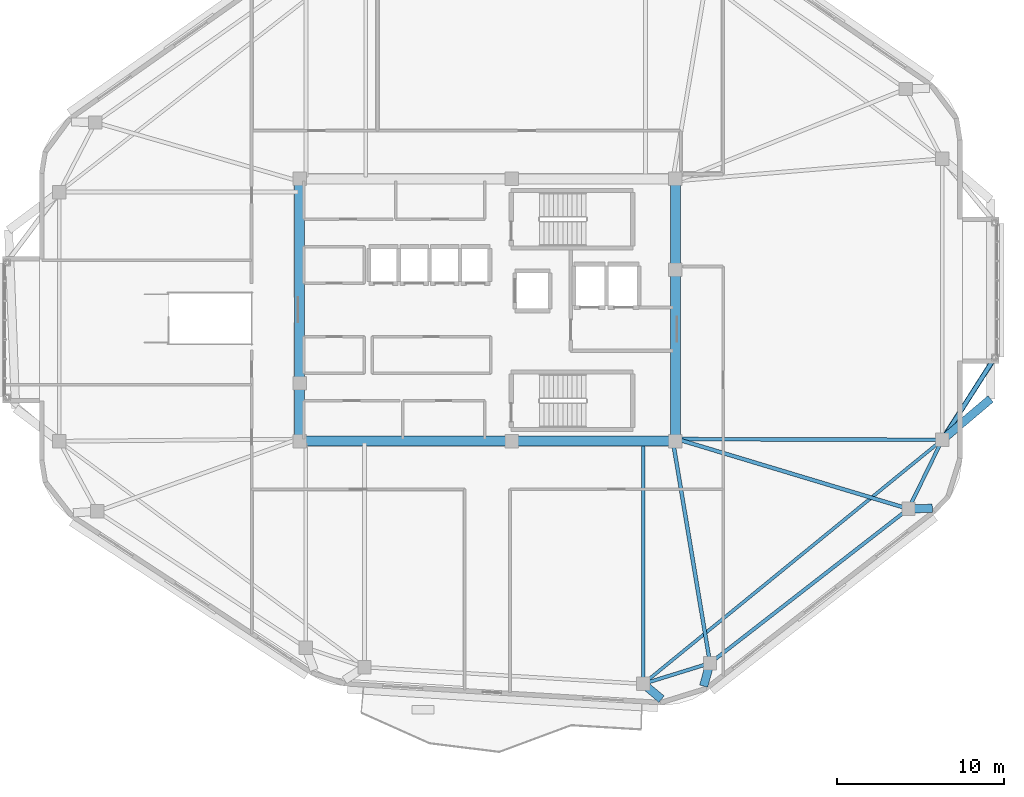
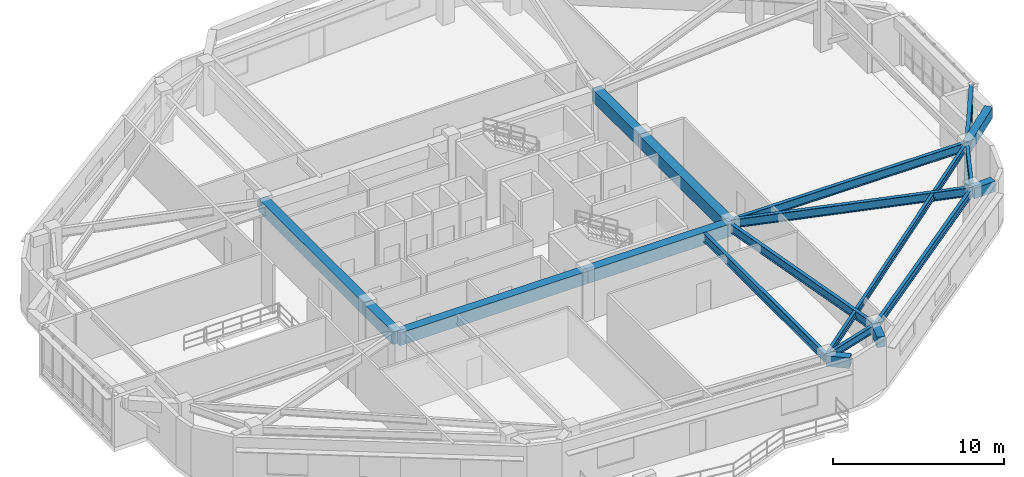
# One storey, part 5 of 16: 19 beams, 1 member.
"""IFC4 building model written with IfcOpenShell, lengths in metres."""

from ifc_helpers import new_model, si_unit, direction, frame, origin, origin_2d, place, context, subcontext, project, spatial, rectangle, hollow_rectangle, i_section, extrude, material, material_profile, profile_set, type_object, element, save


model = new_model("IFC4")

# Units and contexts
model_context = context("Model", 3, precision=1e-05, world=origin(), true_north=direction((0.0, 1.0)))
body_context = subcontext(model_context, "Body", "Model", "MODEL_VIEW")
ifc_project = project(units=[si_unit("LENGTHUNIT", "METRE"), si_unit("AREAUNIT", "SQUARE_METRE"), si_unit("VOLUMEUNIT", "CUBIC_METRE"), si_unit("PLANEANGLEUNIT", "RADIAN"), si_unit("MASSUNIT", "GRAM", prefix="KILO")], contexts=[model_context])

# Site, building, storey
site_placement = place(None, origin())
site = spatial("IfcSite", under=ifc_project, at=site_placement, CompositionType="ELEMENT")
building_placement = place(site_placement, origin())
building = spatial("IfcBuilding", under=site, at=building_placement, Name="Zulverin Broadcast Headquarters", CompositionType="ELEMENT")
storey_placement = place(building_placement, frame((0.0, 0.0, 228.800048828125)))
storey = spatial("IfcBuildingStorey", under=building, at=storey_placement, Name="L58", CompositionType="ELEMENT", Elevation=228.800048828125)

# Beams
ifc_material_1 = material(Name="Concrete C60/75", Category="concrete")
ifc_material_profile_1 = material_profile(ifc_material_1, rectangle(XDim=0.60009765625, YDim=0.89990234375, at=origin_2d()), Name="Concrete C60/75", Category="concrete")
ifc_profile_set_1 = profile_set([ifc_material_profile_1], Name="Concrete C60/75")
beam_type_1 = type_object("IfcBeamType", Name="BM-CB-600x900", PredefinedType="LINTEL", material=ifc_profile_set_1)
beam_1_placement = place(storey_placement, frame((25.72509765625, 17.324951171875, 3.06005859375), z_axis=(1.0, 0.0, 0.0), x_axis=(0.0, 1.0, 0.0)))
element("IfcBeam", 1, at=beam_1_placement, inside=storey, type_object=beam_type_1, Name="L58 Core Coupling Girder K01-K02", PredefinedType="LINTEL", context=body_context, shape_type="SweptSolid", body=[
    extrude(rectangle(XDim=0.60009765625, YDim=0.89990234375, at=origin_2d()), origin(), (0.0, 0.0, 1.0), 12.724853515625),
])
beam_2_placement = place(storey_placement, frame((38.449951171875, 17.324951171875, 3.06005859375), z_axis=(1.0, 0.0, 0.0), x_axis=(0.0, 1.0, 0.0)))
element("IfcBeam", 2, at=beam_2_placement, inside=storey, type_object=beam_type_1, Name="L58 Core Coupling Girder K02-K03", PredefinedType="LINTEL", context=body_context, shape_type="SweptSolid", body=[
    extrude(rectangle(XDim=0.60009765625, YDim=0.89990234375, at=origin_2d()), origin(), (0.0, 0.0, 1.0), 9.824951171875),
])
beam_3_placement = place(storey_placement, frame((48.27490234375, 17.324951171875, 3.06005859375), z_axis=(0.0, 1.0, 0.0), x_axis=(-1.0, 0.0, 0.0)))
element("IfcBeam", 3, at=beam_3_placement, inside=storey, type_object=beam_type_1, Name="L58 Core Coupling Girder K03-K04", PredefinedType="LINTEL", context=body_context, shape_type="SweptSolid", body=[
    extrude(rectangle(XDim=0.60009765625, YDim=0.89990234375, at=origin_2d()), origin(), (0.0, 0.0, 1.0), 10.295166015625),
])
beam_4_placement = place(storey_placement, frame((48.27490234375, 27.6201171875, 3.06005859375), z_axis=(0.0, 1.0, 0.0), x_axis=(-1.0, 0.0, 0.0)))
element("IfcBeam", 4, at=beam_4_placement, inside=storey, type_object=beam_type_1, Name="L58 Core Coupling Girder K04-K05", PredefinedType="LINTEL", context=body_context, shape_type="SweptSolid", body=[
    extrude(rectangle(XDim=0.60009765625, YDim=0.89990234375, at=origin_2d()), origin(), (0.0, 0.0, 1.0), 5.454833984375),
])
beam_5_placement = place(storey_placement, frame((25.72509765625, 33.074951171875, 3.06005859375), z_axis=(0.0, -1.0, 0.0), x_axis=(1.0, 0.0, 0.0)))
element("IfcBeam", 5, at=beam_5_placement, inside=storey, type_object=beam_type_1, Name="L58 Core Coupling Girder K07-K08", PredefinedType="LINTEL", context=body_context, shape_type="SweptSolid", body=[
    extrude(rectangle(XDim=0.60009765625, YDim=0.89990234375, at=origin_2d()), origin(), (0.0, 0.0, 1.0), 12.27490234375),
])
beam_6_placement = place(storey_placement, frame((25.72509765625, 20.800048828125, 3.06005859375), z_axis=(0.0, -1.0, 0.0), x_axis=(1.0, 0.0, 0.0)))
element("IfcBeam", 6, at=beam_6_placement, inside=storey, type_object=beam_type_1, Name="L58 Core Coupling Girder K08-K01", PredefinedType="LINTEL", context=body_context, shape_type="SweptSolid", body=[
    extrude(rectangle(XDim=0.60009765625, YDim=0.89990234375, at=origin_2d()), origin(), (0.0, 0.0, 1.0), 3.47509765625),
])
ifc_material_2 = material(Name="Concrete C40/50", Category="concrete")
ifc_material_profile_2 = material_profile(ifc_material_2, rectangle(XDim=0.5, YDim=0.75, at=origin_2d()), Name="Concrete C40/50", Category="concrete")
ifc_profile_set_2 = profile_set([ifc_material_profile_2], Name="Concrete C40/50")
beam_type_2 = type_object("IfcBeamType", Name="BM-RC-500x750", PredefinedType="BEAM", material=ifc_profile_set_2)
for number, where, z_axis, x_axis, name in (
    (7, (46.3515625, 2.759521484375, 3.135009765625), (0.767058538949, -0.641577117598, 0.0), (0.641577117598, 0.767058538949, 0.0), "L59 Plate Overhang Back-Spanned Beam OVR-02"),
    (8, (50.361083984375, 4.001708984375, 3.135009765625), (-0.269914876125, -0.962884188076, 0.0), (0.962884188076, -0.269914876125, 0.0), "L59 Plate Overhang Back-Spanned Beam OVR-03"),
):
    element("IfcBeam", number, at=place(storey_placement, frame(where, z_axis=z_axis, x_axis=x_axis)), inside=storey, type_object=beam_type_2, Name=name, PredefinedType="BEAM", context=body_context, shape_type="SweptSolid", body=[
        extrude(rectangle(XDim=0.5, YDim=0.75, at=origin_2d()), origin(), (0.0, 0.0, 1.0), 1.429931640625),
    ])
beam_7_placement = place(storey_placement, frame((62.272216796875, 13.262451171875, 3.135009765625), z_axis=(0.999706131466, 0.024241507969, 0.0), x_axis=(-0.024241507969, 0.999706131466, 0.0)))
element("IfcBeam", 9, at=beam_7_placement, inside=storey, type_object=beam_type_2, Name="L59 Plate Overhang Back-Spanned Beam OVR-04", PredefinedType="BEAM", context=body_context, shape_type="SweptSolid", body=[
    extrude(rectangle(XDim=0.5, YDim=0.75, at=origin_2d()), origin(), (0.0, 0.0, 1.0), 1.43017578125),
])
beam_8_placement = place(storey_placement, frame((64.300048828125, 17.40771484375, 3.135009765625), z_axis=(0.763327794612, 0.646011360561, 0.0), x_axis=(-0.646011360561, 0.763327794612, 0.0)))
element("IfcBeam", 10, at=beam_8_placement, inside=storey, type_object=beam_type_2, Name="L59 Balcony Column-Framed Cantilever BAL_E-1", PredefinedType="BEAM", context=body_context, shape_type="SweptSolid", body=[
    extrude(rectangle(XDim=0.5, YDim=0.75, at=origin_2d()), origin(), (0.0, 0.0, 1.0), 3.800048828125),
])
ifc_material_3 = material(Name="Structural steel S355JR", Category="steel")
ifc_material_profile_3 = material_profile(ifc_material_3, i_section(OverallWidth=0.19287109375, OverallDepth=0.46728515625, WebThickness=0.011474609375, FlangeThickness=0.01953125, at=origin_2d()), Name="Structural steel S355JR", Category="steel")
ifc_profile_set_3 = profile_set([ifc_material_profile_3], Name="Structural steel S355JR")
beam_type_3 = type_object("IfcBeamType", Name="BM-UB-457", PredefinedType="JOIST", material=ifc_profile_set_3)
beam_9_placement = place(storey_placement, frame((46.3515625, 2.759521484375, 3.2763671875), z_axis=(0.77473799882, 0.632282399869, 0.0), x_axis=(-0.632282399869, 0.77473799882, 0.0)))
element("IfcBeam", 11, at=beam_9_placement, inside=storey, type_object=beam_type_3, Name="L58 Chordal Floor Joist J-01", PredefinedType="JOIST", context=body_context, shape_type="SweptSolid", body=[
    extrude(i_section(OverallWidth=0.19287109375, OverallDepth=0.46728515625, WebThickness=0.011474609375, FlangeThickness=0.01953125, at=origin_2d()), origin(), (0.0, 0.0, 1.0), 23.167236328125),
])
ifc_material_profile_4 = material_profile(ifc_material_3, i_section(OverallWidth=0.2119140625, OverallDepth=0.54443359375, WebThickness=0.0126953125, FlangeThickness=0.021240234375, at=origin_2d()), Name="Structural steel S355JR", Category="steel")
ifc_profile_set_4 = profile_set([ifc_material_profile_4], Name="Structural steel S355JR")
beam_type_4 = type_object("IfcBeamType", Name="BM-UB-533", PredefinedType="SPANDREL", material=ifc_profile_set_4)
beam_10_placement = place(storey_placement, frame((46.3515625, 2.759521484375, 3.237548828125), z_axis=(0.955208799219, 0.295932677978, 0.0), x_axis=(-0.295932677978, 0.955208799219, 0.0)))
element("IfcBeam", 12, at=beam_10_placement, inside=storey, type_object=beam_type_4, Name="L58 Perimeter Spandrel Beam SP-02", PredefinedType="SPANDREL", context=body_context, shape_type="SweptSolid", body=[
    extrude(i_section(OverallWidth=0.2119140625, OverallDepth=0.54443359375, WebThickness=0.0126953125, FlangeThickness=0.021240234375, at=origin_2d()), origin(), (0.0, 0.0, 1.0), 4.197509765625),
])
beam_11_placement = place(storey_placement, frame((50.361083984375, 4.001708984375, 3.237548828125), z_axis=(0.789463732329, 0.613797210271, 0.0), x_axis=(-0.613797210271, 0.789463732329, 0.0)))
element("IfcBeam", 13, at=beam_11_placement, inside=storey, type_object=beam_type_4, Name="L58 Perimeter Spandrel Beam SP-03", PredefinedType="SPANDREL", context=body_context, shape_type="SweptSolid", body=[
    extrude(i_section(OverallWidth=0.2119140625, OverallDepth=0.54443359375, WebThickness=0.0126953125, FlangeThickness=0.021240234375, at=origin_2d()), origin(), (0.0, 0.0, 1.0), 15.087646484375),
])
beam_12_placement = place(storey_placement, frame((62.272216796875, 13.262451171875, 3.237548828125), z_axis=(0.439430258265, 0.898276710219, 0.0), x_axis=(-0.898276710219, 0.439430258265, 0.0)))
element("IfcBeam", 14, at=beam_12_placement, inside=storey, type_object=beam_type_4, Name="L58 Perimeter Spandrel Beam SP-04", PredefinedType="SPANDREL", context=body_context, shape_type="SweptSolid", body=[
    extrude(i_section(OverallWidth=0.2119140625, OverallDepth=0.54443359375, WebThickness=0.0126953125, FlangeThickness=0.021240234375, at=origin_2d()), origin(), (0.0, 0.0, 1.0), 4.61474609375),
])
ifc_material_profile_5 = material_profile(ifc_material_3, i_section(OverallWidth=0.230224609375, OverallDepth=0.6171875, WebThickness=0.01318359375, FlangeThickness=0.022216796875, at=origin_2d()), Name="Structural steel S355JR", Category="steel")
ifc_profile_set_5 = profile_set([ifc_material_profile_5], Name="Structural steel S355JR")
beam_type_5 = type_object("IfcBeamType", Name="BM-UB-610", PredefinedType="BEAM", material=ifc_profile_set_5)
beam_13_placement = place(storey_placement, frame((46.3515625, 17.22509765625, 3.201416015625), z_axis=(0.0, -1.0, 0.0), x_axis=(1.0, 0.0, 0.0)))
element("IfcBeam", 15, at=beam_13_placement, inside=storey, type_object=beam_type_5, Name="L58 Radial Primary Floor Beam RB-02", PredefinedType="BEAM", context=body_context, shape_type="SweptSolid", body=[
    extrude(i_section(OverallWidth=0.230224609375, OverallDepth=0.6171875, WebThickness=0.01318359375, FlangeThickness=0.022216796875, at=origin_2d()), origin(), (0.0, 0.0, 1.0), 14.465576171875),
])
beam_14_placement = place(storey_placement, frame((48.14990234375, 17.22509765625, 3.201416015625), z_axis=(0.1649275445, -0.986305685407, 0.0), x_axis=(0.986305685407, 0.1649275445, 0.0)))
element("IfcBeam", 16, at=beam_14_placement, inside=storey, type_object=beam_type_5, Name="L58 Radial Primary Floor Beam RB-03", PredefinedType="BEAM", context=body_context, shape_type="SweptSolid", body=[
    extrude(i_section(OverallWidth=0.230224609375, OverallDepth=0.6171875, WebThickness=0.01318359375, FlangeThickness=0.022216796875, at=origin_2d()), origin(), (0.0, 0.0, 1.0), 13.406982421875),
])
beam_15_placement = place(storey_placement, frame((48.375, 17.449951171875, 3.201416015625), z_axis=(0.957477907331, -0.288506597799, 0.0), x_axis=(0.288506597799, 0.957477907331, 0.0)))
element("IfcBeam", 17, at=beam_15_placement, inside=storey, type_object=beam_type_5, Name="L58 Radial Primary Floor Beam RB-04", PredefinedType="BEAM", context=body_context, shape_type="SweptSolid", body=[
    extrude(i_section(OverallWidth=0.230224609375, OverallDepth=0.6171875, WebThickness=0.01318359375, FlangeThickness=0.022216796875, at=origin_2d()), origin(), (0.0, 0.0, 1.0), 14.514404296875),
])
beam_16_placement = place(storey_placement, frame((48.375, 17.449951171875, 3.201416015625), z_axis=(0.999996482951, -0.002652185248, 0.0), x_axis=(0.002652185248, 0.999996482951, 0.0)))
element("IfcBeam", 18, at=beam_16_placement, inside=storey, type_object=beam_type_5, Name="L58 Radial Primary Floor Beam RB-05", PredefinedType="BEAM", context=body_context, shape_type="SweptSolid", body=[
    extrude(i_section(OverallWidth=0.230224609375, OverallDepth=0.6171875, WebThickness=0.01318359375, FlangeThickness=0.022216796875, at=origin_2d()), origin(), (0.0, 0.0, 1.0), 15.925048828125),
])
ifc_material_profile_6 = material_profile(ifc_material_3, i_section(OverallWidth=0.255859375, OverallDepth=0.69287109375, WebThickness=0.014404296875, FlangeThickness=0.023681640625, at=origin_2d()), Name="Structural steel S355JR", Category="steel")
ifc_profile_set_6 = profile_set([ifc_material_profile_6], Name="Structural steel S355JR")
beam_type_6 = type_object("IfcBeamType", Name="BM-UB-686", PredefinedType="BEAM", material=ifc_profile_set_6)
beam_17_placement = place(storey_placement, frame((64.300048828125, 17.40771484375, 3.163330078125), z_axis=(0.538227155415, 0.842799815599, 0.0), x_axis=(-0.842799815599, 0.538227155415, 0.0)))
element("IfcBeam", 19, at=beam_17_placement, inside=storey, type_object=beam_type_6, Name="L58 Studio Box Cantilever Girder SBOX_SKY2_E-1", PredefinedType="BEAM", context=body_context, shape_type="SweptSolid", body=[
    extrude(i_section(OverallWidth=0.255859375, OverallDepth=0.69287109375, WebThickness=0.014404296875, FlangeThickness=0.023681640625, at=origin_2d()), origin(), (0.0, 0.0, 1.0), 5.852294921875),
])

# Member
ifc_material_profile_7 = material_profile(ifc_material_3, hollow_rectangle(XDim=0.300048828125, YDim=0.300048828125, WallThickness=0.01611328125, at=origin_2d()), Name="Structural steel S355JR", Category="steel")
ifc_profile_set_7 = profile_set([ifc_material_profile_7], Name="Structural steel S355JR")
member_type = type_object("IfcMemberType", Name="MBR-BLT-DIAG1", PredefinedType="BRACE", material=ifc_profile_set_7)
member_placement = place(storey_placement, frame((64.300048828125, 17.40771484375, 0.349853515625), z_axis=(0.483569065434, 0.757211736859, 0.439080111731), x_axis=(-0.842799815599, 0.538227155415, 0.0)))
element("IfcMember", 20, at=member_placement, inside=storey, type_object=member_type, Name="L58 Studio Box Raking Knee Brace SBOX_SKY2_E-1", PredefinedType="BRACE", context=body_context, shape_type="SweptSolid", body=[
    extrude(hollow_rectangle(XDim=0.300048828125, YDim=0.300048828125, WallThickness=0.01611328125, at=origin_2d()), origin(), (0.0, 0.0, 1.0), 6.513916015625),
])

save(model, "model.ifc")
